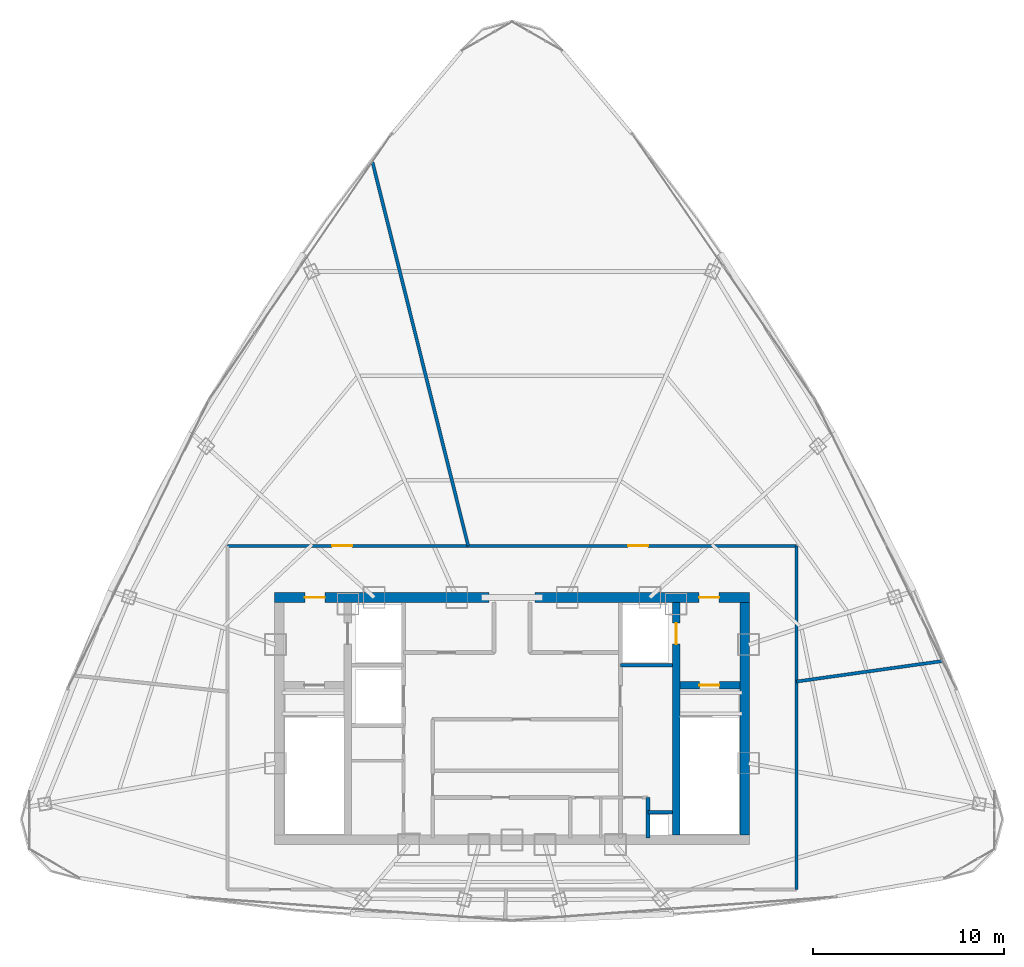
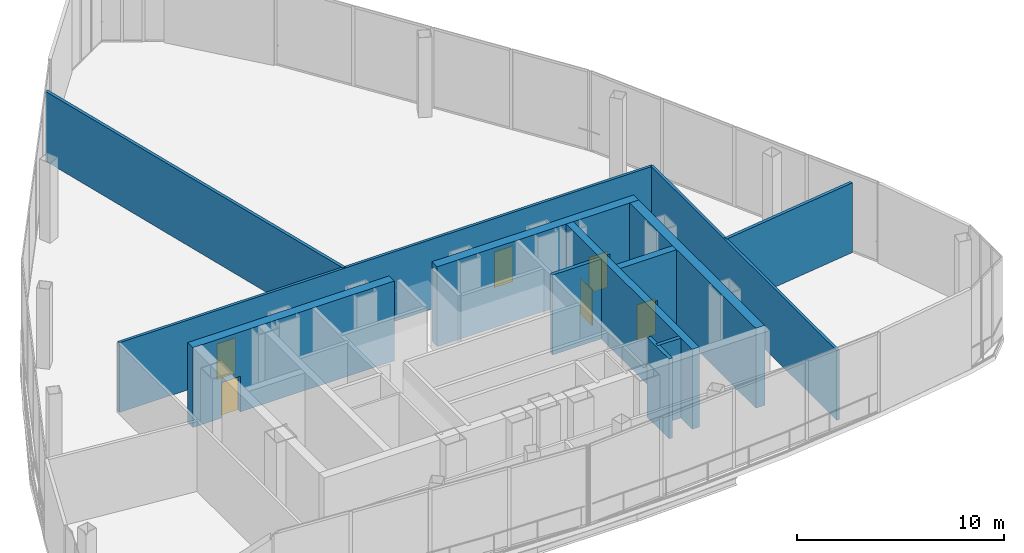
# One storey, part 30 of 32: 12 walls, 6 doors, 6 openings.
"""IFC4 building model written with IfcOpenShell, lengths in metres."""

from ifc_helpers import new_model, si_unit, direction, frame, frame_2d, origin, origin_with_axes, place, context, subcontext, project, spatial, rectangle, extrude, source, transform, mapped, material, layer, layer_set, type_object, element, fill, save


model = new_model("IFC4")

# Units and contexts
model_context = context("Model", 3, precision=1e-05, world=origin(), true_north=direction((0.0, 1.0)))
body_context = subcontext(model_context, "Body", "Model", "MODEL_VIEW")
ifc_project = project(units=[si_unit("LENGTHUNIT", "METRE"), si_unit("AREAUNIT", "SQUARE_METRE"), si_unit("VOLUMEUNIT", "CUBIC_METRE"), si_unit("PLANEANGLEUNIT", "RADIAN"), si_unit("MASSUNIT", "GRAM", prefix="KILO"), si_unit("THERMODYNAMICTEMPERATUREUNIT", "KELVIN"), si_unit("POWERUNIT", "WATT")], contexts=[model_context])

# Site, building, storey
site_placement = place(None, origin())
site = spatial("IfcSite", under=ifc_project, at=site_placement, CompositionType="ELEMENT")
building_placement = place(site_placement, origin())
building = spatial("IfcBuilding", under=site, at=building_placement, Name="Yunzhuo Pagoda Commons", CompositionType="ELEMENT")
storey_placement = place(building_placement, frame((0.0, 0.0, 396.760009765625)))
storey = spatial("IfcBuildingStorey", under=building, at=storey_placement, Name="L98", CompositionType="ELEMENT", Elevation=396.760009765625)

# Wall, opening, door
ifc_material_1 = material(Name="Concrete C50", Category="concrete")
ifc_layer_1 = layer(ifc_material_1, 0.5)
ifc_layer_set_1 = layer_set([ifc_layer_1], Name="Concrete C50")
wall_type_1 = type_object("IfcWallType", Name="W-C03 Upper Core Shear Wall 500", PredefinedType="SHEAR", material=ifc_layer_set_1)
wall_1_placement = place(storey_placement, frame((35.550048828125, 40.199951171875, 0.0), z_axis=(0.0, 0.0, 1.0), x_axis=(1.0, 0.0, 0.0)))
wall_1 = element("IfcWall", 1, at=wall_1_placement, inside=storey, type_object=wall_type_1, Name="L98 core shear wall NW", PredefinedType="SHEAR", context=body_context, shape_type="SweptSolid", body=[
    extrude(rectangle(XDim=11.25, YDim=0.5, at=frame_2d((5.625, 0.0))), origin(), (0.0, 0.0, 1.0), 4.719970703125),
])
opening_1_placement = place(wall_1_placement, frame((1.60009765625, 0.0, 0.0)))
opening_1 = element("IfcOpeningElement", 2, at=opening_1_placement, cuts=wall_1, Name="Opening D-02", PredefinedType="OPENING", context=body_context, shape_type="SweptSolid", body=[
    extrude(rectangle(XDim=1.050048828125, YDim=2.10009765625, at=frame_2d((0.52490234375, 1.050048828125))), frame((0.0, 0.260009765625, 0.0), z_axis=(0.0, -1.0, 0.0), x_axis=(1.0, 0.0, 0.0)), (0.0, 0.0, 1.0), 0.52001953125),
])
ifc_material_2 = material(Name="Galvanized fire-resisting metal leaf")
door_type_1 = type_object("IfcDoorType", Name="D-02 Firefighting Lobby & Refuge Fire Door 1050x2100", OperationType="NOTDEFINED", PredefinedType="DOOR", material=ifc_material_2)
shared_shape_1 = source(origin(), body_context, "Body", "SweptSolid", [
    extrude(rectangle(XDim=1.050048828125, YDim=2.10009765625, at=frame_2d((0.52490234375, 1.050048828125))), frame((0.0, 0.02490234375, 0.0), z_axis=(0.0, -1.0, 0.0), x_axis=(1.0, 0.0, 0.0)), (0.0, 0.0, 1.0), 0.050048828125),
])
door_1_placement = place(opening_1_placement, frame((1.050048828125, 0.0, 0.0), z_axis=(0.0, 0.0, 1.0), x_axis=(-1.0, 0.0, 0.0)))
door_1 = element("IfcDoor", 3, at=door_1_placement, inside=storey, type_object=door_type_1, Name="L98 Firefighting Lobby 1 fire door", OperationType="SINGLE_SWING_LEFT", OverallHeight=2.10009765625, OverallWidth=1.050048828125, PredefinedType="DOOR", context=body_context, shape_type="MappedRepresentation", body=[
    mapped(shared_shape_1, transform((0.0, 0.0, 0.0), scale=1.0)),
])
fill(opening_1, door_1)

wall_2_placement = place(storey_placement, frame((49.199951171875, 40.199951171875, 0.0), z_axis=(0.0, 0.0, 1.0), x_axis=(1.0, 0.0, 0.0)))
wall_2 = element("IfcWall", 4, at=wall_2_placement, inside=storey, type_object=wall_type_1, Name="L98 core shear wall NE", PredefinedType="SHEAR", context=body_context, shape_type="SweptSolid", body=[
    extrude(rectangle(XDim=11.25, YDim=0.5, at=frame_2d((5.625, 0.0))), origin(), (0.0, 0.0, 1.0), 4.719970703125),
])
opening_2_placement = place(wall_2_placement, frame((8.60009765625, 0.0, 0.0)))
opening_2 = element("IfcOpeningElement", 5, at=opening_2_placement, cuts=wall_2, Name="Opening D-02", PredefinedType="OPENING", context=body_context, shape_type="SweptSolid", body=[
    extrude(rectangle(XDim=1.050048828125, YDim=2.10009765625, at=frame_2d((0.52490234375, 1.050048828125))), frame((0.0, 0.260009765625, 0.0), z_axis=(0.0, -1.0, 0.0), x_axis=(1.0, 0.0, 0.0)), (0.0, 0.0, 1.0), 0.52001953125),
])
door_2_placement = place(opening_2_placement, frame((1.050048828125, 0.0, 0.0), z_axis=(0.0, 0.0, 1.0), x_axis=(-1.0, 0.0, 0.0)))
door_2 = element("IfcDoor", 6, at=door_2_placement, inside=storey, type_object=door_type_1, Name="L98 Firefighting Lobby 2 fire door", OperationType="SINGLE_SWING_RIGHT", OverallHeight=2.10009765625, OverallWidth=1.050048828125, PredefinedType="DOOR", context=body_context, shape_type="MappedRepresentation", body=[
    mapped(shared_shape_1, transform((0.0, 0.0, 0.0), scale=1.0)),
])
fill(opening_2, door_2)

# Walls
wall_3_placement = place(storey_placement, frame((60.199951171875, 27.75, 0.0), z_axis=(0.0, 0.0, 1.0), x_axis=(0.0, 1.0, 0.0)))
element("IfcWall", 7, at=wall_3_placement, inside=storey, type_object=wall_type_1, Name="L98 core shear wall E", PredefinedType="SHEAR", context=body_context, shape_type="SweptSolid", body=[
    extrude(rectangle(XDim=12.199951171875, YDim=0.5, at=frame_2d((6.10009765625, 0.0))), origin(), (0.0, 0.0, 1.0), 4.719970703125),
])
ifc_material_3 = material(Name="Gypsum plasterboard on acoustic stud")
ifc_layer_2 = layer(ifc_material_3, 0.14990234375)
ifc_layer_set_2 = layer_set([ifc_layer_2], Name="Gypsum plasterboard on acoustic stud")
wall_type_2 = type_object("IfcWallType", Name="W-COR3 High-Zone Rated Corridor Wall 150", PredefinedType="PARTITIONING", material=ifc_layer_set_2)
wall_4_placement = place(storey_placement, frame((62.89990234375, 24.89990234375, 0.0), z_axis=(0.0, 0.0, 1.0), x_axis=(0.0, 1.0, 0.0)))
element("IfcWall", 8, at=wall_4_placement, inside=storey, type_object=wall_type_2, Name="L98 interior wall IW-L98-SCW02", PredefinedType="PARTITIONING", context=body_context, shape_type="SweptSolid", body=[
    extrude(rectangle(XDim=18.0, YDim=0.14990234375, at=frame_2d((9.0, 0.0))), origin(), (0.0, 0.0, 1.0), 4.119873046875),
])

# Wall, openings, doors
wall_5_placement = place(storey_placement, frame((62.89990234375, 42.89990234375, 0.0), z_axis=(0.0, 0.0, 1.0), x_axis=(-1.0, 0.0, 0.0)))
wall_5 = element("IfcWall", 9, at=wall_5_placement, inside=storey, type_object=wall_type_2, Name="L98 interior wall IW-L98-SCW03", PredefinedType="PARTITIONING", context=body_context, shape_type="SweptSolid", body=[
    extrude(rectangle(XDim=29.7998046875, YDim=0.14990234375, at=frame_2d((14.89990234375, 0.0))), origin(), (0.0, 0.0, 1.0), 4.119873046875),
])
opening_3_placement = place(wall_5_placement, frame((7.77197265625, 0.0, 0.0)))
opening_3 = element("IfcOpeningElement", 10, at=opening_3_placement, cuts=wall_5, Name="Opening D-02", PredefinedType="OPENING", context=body_context, shape_type="SweptSolid", body=[
    extrude(rectangle(XDim=1.050048828125, YDim=2.10009765625, at=frame_2d((0.52490234375, 1.050048828125))), frame((0.0, 0.0849609375, 0.0), z_axis=(0.0, -1.0, 0.0), x_axis=(1.0, 0.0, 0.0)), (0.0, 0.0, 1.0), 0.169921875),
])
opening_4_placement = place(wall_5_placement, frame((23.27197265625, 0.0, 0.0)))
opening_4 = element("IfcOpeningElement", 11, at=opening_4_placement, cuts=wall_5, Name="Opening D-02", PredefinedType="OPENING", context=body_context, shape_type="SweptSolid", body=[
    extrude(rectangle(XDim=1.050048828125, YDim=2.10009765625, at=frame_2d((0.52490234375, 1.050048828125))), frame((0.0, 0.0849609375, 0.0), z_axis=(0.0, -1.0, 0.0), x_axis=(1.0, 0.0, 0.0)), (0.0, 0.0, 1.0), 0.169921875),
])
door_3_placement = place(opening_3_placement, origin_with_axes())
door_3 = element("IfcDoor", 12, at=door_3_placement, inside=storey, type_object=door_type_1, Name="L98 Crown Centrifugal Chiller Plant door", OperationType="SINGLE_SWING_LEFT", OverallHeight=2.10009765625, OverallWidth=1.050048828125, PredefinedType="DOOR", context=body_context, shape_type="MappedRepresentation", body=[
    mapped(shared_shape_1, transform((0.0, 0.0, 0.0), scale=1.0)),
])
fill(opening_3, door_3)
door_4_placement = place(opening_4_placement, origin_with_axes())
door_4 = element("IfcDoor", 13, at=door_4_placement, inside=storey, type_object=door_type_1, Name="L98 Crown Acoustic Cooling Plant Room door", OperationType="SINGLE_SWING_RIGHT", OverallHeight=2.10009765625, OverallWidth=1.050048828125, PredefinedType="DOOR", context=body_context, shape_type="MappedRepresentation", body=[
    mapped(shared_shape_1, transform((0.0, 0.0, 0.0), scale=1.0)),
])
fill(opening_4, door_4)

# Walls
ifc_layer_3 = layer(ifc_material_3, 0.169921875)
ifc_layer_set_3 = layer_set([ifc_layer_3], Name="Gypsum plasterboard on acoustic stud")
wall_type_3 = type_object("IfcWallType", Name="W-PRT4 High-Zone Demising Wall 170", PredefinedType="PARTITIONING", material=ifc_layer_set_3)
wall_6_placement = place(storey_placement, frame((62.89990234375, 35.794189453125, 0.0), z_axis=(0.0, 0.0, 1.0), x_axis=(0.990268414718, 0.139170639188, 0.0)))
element("IfcWall", 14, at=wall_6_placement, inside=storey, type_object=wall_type_3, Name="L98 interior wall IW-L98-SRAD1", PredefinedType="PARTITIONING", context=body_context, shape_type="SweptSolid", body=[
    extrude(rectangle(XDim=7.73095703125, YDim=0.169921875, at=frame_2d((3.865478515625, 0.0))), origin(), (0.0, 0.0, 1.0), 4.119873046875),
])
wall_7_placement = place(storey_placement, frame((45.706298828125, 42.89990234375, 0.0), z_axis=(0.0, 0.0, 1.0), x_axis=(-0.241925907535, 0.970294725979, 0.0)))
element("IfcWall", 15, at=wall_7_placement, inside=storey, type_object=wall_type_3, Name="L98 interior wall IW-L98-SRAD2", PredefinedType="PARTITIONING", context=body_context, shape_type="SweptSolid", body=[
    extrude(rectangle(XDim=20.72900390625, YDim=0.169921875, at=frame_2d((10.364501953125, 0.0))), origin(), (0.0, 0.0, 1.0), 4.119873046875),
])

# Wall, opening, door
ifc_material_4 = material(Name="Concrete C60", Category="concrete")
ifc_layer_4 = layer(ifc_material_4, 0.39990234375)
ifc_layer_set_4 = layer_set([ifc_layer_4], Name="Concrete C60")
wall_type_4 = type_object("IfcWallType", Name="W-S01 Internal Core Shear Web 400", PredefinedType="SHEAR", material=ifc_layer_set_4)
wall_8_placement = place(storey_placement, frame((56.60009765625, 27.75, 0.0), z_axis=(0.0, 0.0, 1.0), x_axis=(0.0, 1.0, 0.0)))
wall_8 = element("IfcWall", 16, at=wall_8_placement, inside=storey, type_object=wall_type_4, Name="L98 core shear wall WEBE", PredefinedType="SHEAR", context=body_context, shape_type="SweptSolid", body=[
    extrude(rectangle(XDim=12.199951171875, YDim=0.39990234375, at=frame_2d((6.10009765625, 0.0))), origin(), (0.0, 0.0, 1.0), 4.719970703125),
])
opening_5_placement = place(wall_8_placement, frame((10.0, 0.0, 0.0)))
opening_5 = element("IfcOpeningElement", 17, at=opening_5_placement, cuts=wall_8, Name="Opening LD-01", PredefinedType="OPENING", context=body_context, shape_type="SweptSolid", body=[
    extrude(rectangle(XDim=1.10009765625, YDim=2.10009765625, at=frame_2d((0.550048828125, 1.050048828125))), frame((0.0, 0.2099609375, 0.0), z_axis=(0.0, -1.0, 0.0), x_axis=(1.0, 0.0, 0.0)), (0.0, 0.0, 1.0), 0.419921875),
])
door_type_2 = type_object("IfcDoorType", Name="LD-01 Firefighting Lift Landing Door 1100x2100", OperationType="DOUBLE_DOOR_SLIDING", PredefinedType="DOOR", material=ifc_material_2)
shared_shape_2 = source(origin(), body_context, "Body", "SweptSolid", [
    extrude(rectangle(XDim=1.10009765625, YDim=2.10009765625, at=frame_2d((0.550048828125, 1.050048828125))), frame((0.0, 0.02490234375, 0.0), z_axis=(0.0, -1.0, 0.0), x_axis=(1.0, 0.0, 0.0)), (0.0, 0.0, 1.0), 0.050048828125),
])
door_5_placement = place(opening_5_placement, origin_with_axes())
door_5 = element("IfcDoor", 18, at=door_5_placement, inside=storey, type_object=door_type_2, Name="L98 Firefighting lift FL-2 landing door", OperationType="DOUBLE_DOOR_SLIDING", OverallHeight=2.10009765625, OverallWidth=1.10009765625, PredefinedType="DOOR", context=body_context, shape_type="MappedRepresentation", body=[
    mapped(shared_shape_2, transform((0.0, 0.0, 0.0), scale=1.0)),
])
fill(opening_5, door_5)

wall_9_placement = place(storey_placement, frame((56.800048828125, 35.60009765625, 0.0), z_axis=(0.0, 0.0, 1.0), x_axis=(1.0, 0.0, 0.0)))
wall_9 = element("IfcWall", 19, at=wall_9_placement, inside=storey, type_object=wall_type_4, Name="L98 core shear wall STE", PredefinedType="SHEAR", context=body_context, shape_type="SweptSolid", body=[
    extrude(rectangle(XDim=3.14990234375, YDim=0.39990234375, at=frame_2d((1.574951171875, 0.0))), origin(), (0.0, 0.0, 1.0), 4.719970703125),
])
opening_6_placement = place(wall_9_placement, frame((1.02001953125, 0.0, 0.0)))
opening_6 = element("IfcOpeningElement", 20, at=opening_6_placement, cuts=wall_9, Name="Opening D-01", PredefinedType="OPENING", context=body_context, shape_type="SweptSolid", body=[
    extrude(rectangle(XDim=1.050048828125, YDim=2.10009765625, at=frame_2d((0.52490234375, 1.050048828125))), frame((0.0, 0.2099609375, 0.0), z_axis=(0.0, -1.0, 0.0), x_axis=(1.0, 0.0, 0.0)), (0.0, 0.0, 1.0), 0.419921875),
])
door_type_3 = type_object("IfcDoorType", Name="D-01 Smokeproof Stair Fire Door 1050x2100", OperationType="NOTDEFINED", PredefinedType="DOOR", material=ifc_material_2)
door_6_placement = place(opening_6_placement, frame((1.050048828125, 0.0, 0.0), z_axis=(0.0, 0.0, 1.0), x_axis=(-1.0, 0.0, 0.0)))
door_6 = element("IfcDoor", 21, at=door_6_placement, inside=storey, type_object=door_type_3, Name="L98 Stair ST2 fire door", OperationType="SINGLE_SWING_RIGHT", OverallHeight=2.10009765625, OverallWidth=1.050048828125, PredefinedType="DOOR", context=body_context, shape_type="MappedRepresentation", body=[
    mapped(shared_shape_1, transform((0.0, 0.0, 0.0), scale=1.0)),
])
fill(opening_6, door_6)

# Walls
ifc_material_5 = material(Name="Concrete C40", Category="concrete")
ifc_layer_5 = layer(ifc_material_5, 0.199951171875)
ifc_layer_set_5 = layer_set([ifc_layer_5], Name="Concrete C40")
wall_type_5 = type_object("IfcWallType", Name="W-SHF Shaft & Stair Enclosure Wall 200", PredefinedType="SOLIDWALL", material=ifc_layer_set_5)
wall_10_placement = place(storey_placement, frame((53.679931640625, 36.64990234375, 0.0), z_axis=(0.0, 0.0, 1.0), x_axis=(1.0, 0.0, 0.0)))
element("IfcWall", 22, at=wall_10_placement, inside=storey, type_object=wall_type_5, Name="L98 interior wall IW-L98-FL2S", PredefinedType="SOLIDWALL", context=body_context, shape_type="SweptSolid", body=[
    extrude(rectangle(XDim=2.719970703125, YDim=0.199951171875, at=frame_2d((1.35986328125, 0.0))), origin(), (0.0, 0.0, 1.0), 4.719970703125),
])
wall_11_placement = place(storey_placement, frame((55.1201171875, 27.60009765625, 0.0), z_axis=(0.0, 0.0, 1.0), x_axis=(0.0, 1.0, 0.0)))
element("IfcWall", 23, at=wall_11_placement, inside=storey, type_object=wall_type_5, Name="L98 interior wall IW-L98-RSHFW", PredefinedType="SOLIDWALL", context=body_context, shape_type="SweptSolid", body=[
    extrude(rectangle(XDim=2.119873046875, YDim=0.199951171875, at=frame_2d((1.06005859375, 0.0))), origin(), (0.0, 0.0, 1.0), 4.719970703125),
])
wall_12_placement = place(storey_placement, frame((55.1201171875, 28.949951171875, 0.0), z_axis=(0.0, 0.0, 1.0), x_axis=(1.0, 0.0, 0.0)))
element("IfcWall", 24, at=wall_12_placement, inside=storey, type_object=wall_type_5, Name="L98 interior wall IW-L98-RSHFN", PredefinedType="SOLIDWALL", context=body_context, shape_type="SweptSolid", body=[
    extrude(rectangle(XDim=1.27978515625, YDim=0.199951171875, at=frame_2d((0.639892578125, 0.0))), origin(), (0.0, 0.0, 1.0), 4.719970703125),
])

save(model, "model.ifc")
